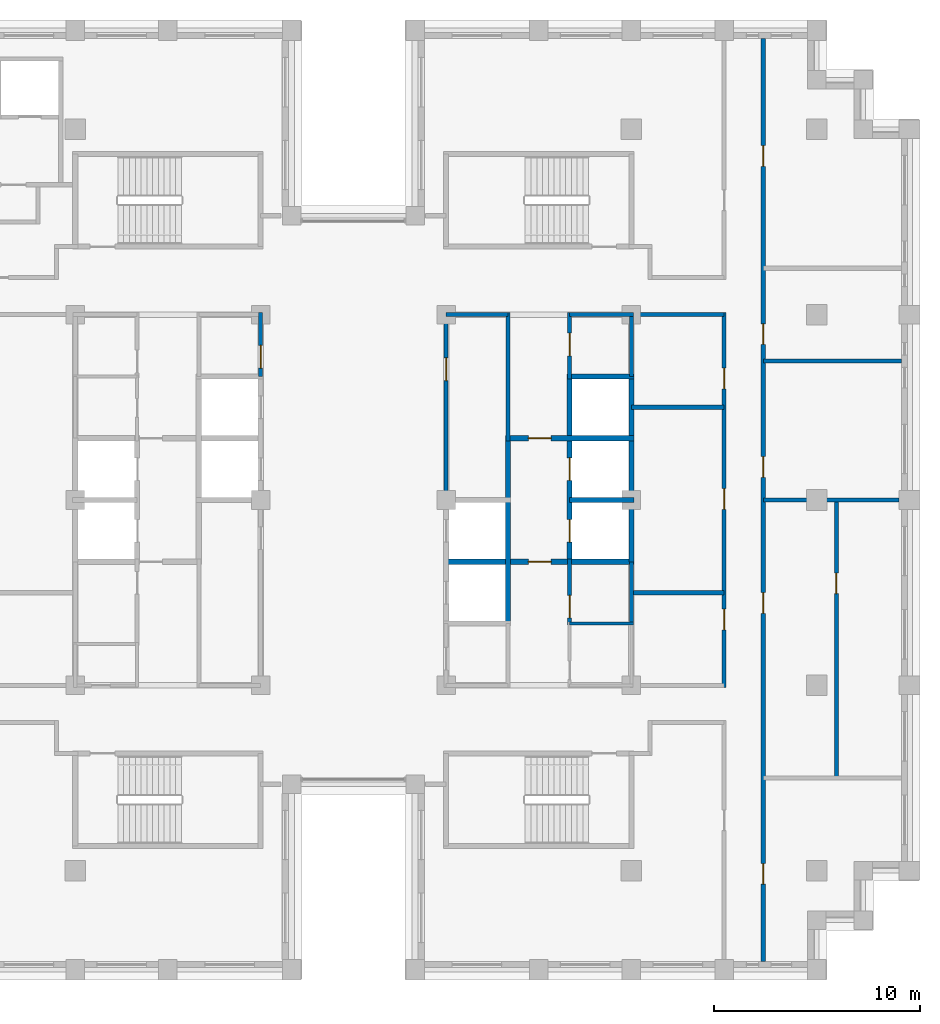
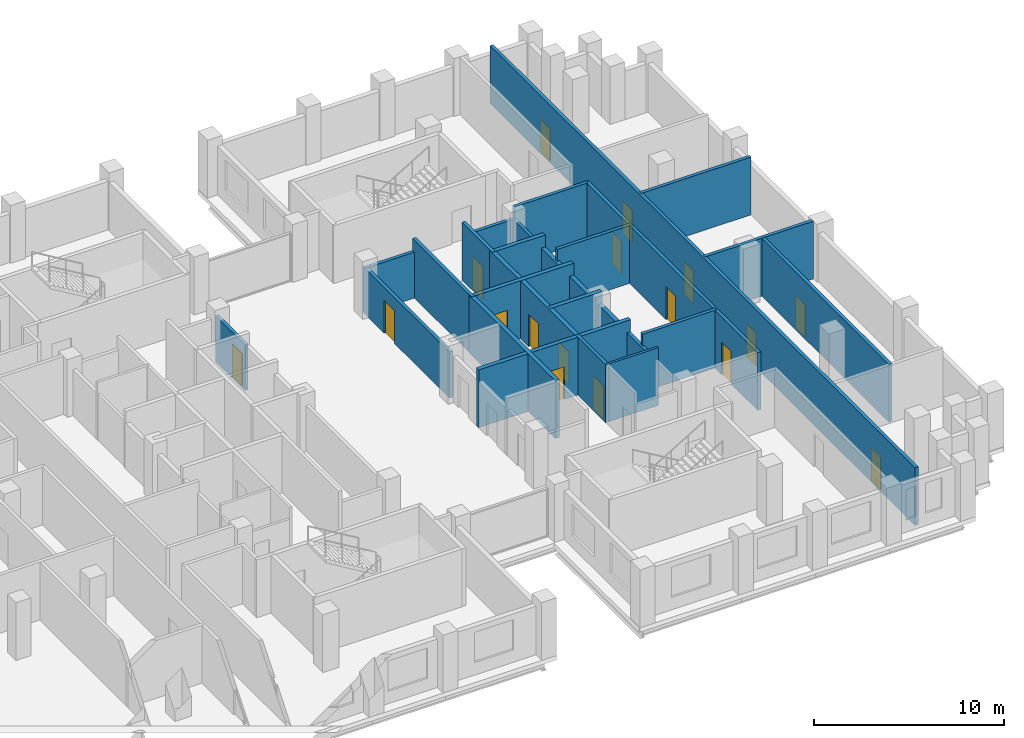
# One storey, part 9 of 15: 25 walls, 17 doors, 17 openings.
"""IFC4 building model written with IfcOpenShell, lengths in metres."""

import ifcopenshell
import ifcopenshell.guid

model = None  # the IFC model being written
_history = None  # IfcOwnerHistory: only IFC2X3 demands one
_inside = {}  # id of a spatial element -> (the spatial element, [elements in it])
_under = {}  # id of a project, library or spatial element -> (it, [spatial elements below it])
_declared = {}  # id of a project -> (the project, [libraries it declares])
_typed = {}  # id of a type object -> (the type object, [elements of that type])
_made_of = {}  # id of a material, layer set ... -> (it, [elements and type objects made of it])


def new_model(schema):
    """Start an empty IFC model of exactly this schema.

    Asked for "IFC4X3", IfcOpenShell would pick the latest addendum, in which some entities
    have other attributes; the version numbers below select the first issue.
    IFC2X3 requires an IfcOwnerHistory on every rooted entity: one is made here for all.
    """
    global model, _history
    if schema == "IFC4X3":
        model = ifcopenshell.file(schema_version=(4, 3, 0, 0))
    else:
        model = ifcopenshell.file(schema=schema)
    _inside.clear()
    _under.clear()
    _declared.clear()
    _typed.clear()
    _made_of.clear()
    _history = None
    if model.schema == "IFC2X3":
        org = make("IfcOrganization", Name="unknown")
        user = make(
            "IfcPersonAndOrganization",
            ThePerson=make("IfcPerson", FamilyName="unknown"),
            TheOrganization=org,
        )
        app = make(
            "IfcApplication",
            ApplicationDeveloper=org,
            Version="unknown",
            ApplicationFullName="unknown",
            ApplicationIdentifier="unknown",
        )
        _history = make(
            "IfcOwnerHistory",
            OwningUser=user,
            OwningApplication=app,
            ChangeAction="ADDED",
            CreationDate=0,
        )
    return model


def make(cls, **values):
    """One entity of the class cls with the attributes given. An attribute that is None is left unset."""
    return model.create_entity(
        cls, **{name: value for name, value in values.items() if value is not None}
    )


def rooted(cls, **values):
    """An entity with a GlobalId (a new one), such as an element, a storey or a relation."""
    return make(cls, GlobalId=ifcopenshell.guid.new(), OwnerHistory=_history, **values)


def si_unit(unit_type, name, prefix=None):
    """IfcSIUnit, for example si_unit("LENGTHUNIT", "METRE", prefix="MILLI")."""
    return make("IfcSIUnit", UnitType=unit_type, Prefix=prefix, Name=name)


def assignment(units):
    """IfcUnitAssignment: the units of a project."""
    return None if units is None else make("IfcUnitAssignment", Units=units)


def point(xyz):
    """IfcCartesianPoint."""
    return None if xyz is None else make("IfcCartesianPoint", Coordinates=xyz)


def direction(xyz):
    """IfcDirection."""
    return None if xyz is None else make("IfcDirection", DirectionRatios=xyz)


def frame(location, z_axis=None, x_axis=None):
    """IfcAxis2Placement3D, a coordinate frame: its origin and axes. An axis left out is left unset."""
    return make(
        "IfcAxis2Placement3D",
        Location=point(location),
        Axis=direction(z_axis),
        RefDirection=direction(x_axis),
    )


def frame_2d(location, x_axis=None):
    """IfcAxis2Placement2D, a coordinate frame in the plane: its origin and x axis."""
    return make(
        "IfcAxis2Placement2D", Location=point(location), RefDirection=direction(x_axis)
    )


def origin():
    """The frame at (0, 0, 0) with its axes left unset."""
    return frame((0.0, 0.0, 0.0))


def place(relative_to, where):
    """IfcLocalPlacement: puts the frame where relative to a parent placement (None: the world)."""
    return make(
        "IfcLocalPlacement", PlacementRelTo=relative_to, RelativePlacement=where
    )


def context(
    kind, dimensions, precision=None, world=None, true_north=None, identifier=None
):
    """IfcGeometricRepresentationContext, for example the 3D "Model" context."""
    return make(
        "IfcGeometricRepresentationContext",
        ContextIdentifier=identifier,
        ContextType=kind,
        CoordinateSpaceDimension=dimensions,
        Precision=precision,
        WorldCoordinateSystem=world,
        TrueNorth=true_north,
    )


def subcontext(parent, identifier, kind, view, scale=None):
    """IfcGeometricRepresentationSubContext, for example "Body" below "Model"."""
    return make(
        "IfcGeometricRepresentationSubContext",
        ContextIdentifier=identifier,
        ContextType=kind,
        ParentContext=parent,
        TargetScale=scale,
        TargetView=view,
    )


def project(units=None, contexts=None):
    """IfcProject with its units and contexts."""
    return rooted(
        "IfcProject",
        Name="project",
        RepresentationContexts=contexts,
        UnitsInContext=assignment(units),
    )


def spatial(cls, under=None, at=None, **own):
    """A site, building, storey or space (cls), placed at a placement, below another one or the project."""
    s = rooted(cls, ObjectPlacement=at, **own)
    if under is not None:
        _under.setdefault(under.id(), (under, []))[1].append(s)
    return s


def profile(cls, at=None, kind="AREA", **sizes):
    """A parametric profile (cls). Its sizes go by their IFC names, for example OverallWidth=200.0."""
    return make(cls, ProfileType=kind, Position=at, **sizes)


def rectangle(**sizes):
    """IfcRectangleProfileDef."""
    return profile("IfcRectangleProfileDef", **sizes)


def extrude(swept, where, along, depth):
    """IfcExtrudedAreaSolid: the profile swept, set in the frame where, extruded along a direction by depth."""
    return make(
        "IfcExtrudedAreaSolid",
        SweptArea=swept,
        Position=where,
        ExtrudedDirection=direction(along),
        Depth=depth,
    )


def shape(context_of_items, identifier, shape_type, items):
    """IfcShapeRepresentation: the items that make up one representation, for example the "Body"."""
    return make(
        "IfcShapeRepresentation",
        ContextOfItems=context_of_items,
        RepresentationIdentifier=identifier,
        RepresentationType=shape_type,
        Items=items,
    )


def material(Name=None, Category=None):
    """IfcMaterial."""
    return make("IfcMaterial", Name=Name, Category=Category)


def layer(
    of_material, thickness, ventilated=None, Name=None, Category=None, Priority=None
):
    """IfcMaterialLayer: one layer of a wall or slab, of a material (None: an air gap)."""
    return make(
        "IfcMaterialLayer",
        Material=of_material,
        LayerThickness=thickness,
        IsVentilated=ventilated,
        Name=Name,
        Category=Category,
        Priority=Priority,
    )


def layer_set(layers, Name=None):
    """IfcMaterialLayerSet."""
    return make("IfcMaterialLayerSet", MaterialLayers=layers, LayerSetName=Name)


def made_of(thing, what):
    """Note that an element or type object is made of a material, layer set ...; save() writes the relation."""
    if what is not None:
        _made_of.setdefault(what.id(), (what, []))[1].append(thing)
    return thing


def type_object(cls, material=None, **own):
    """A type object (cls), such as IfcWallType, which elements share."""
    return made_of(rooted(cls, **own), material)


def element(
    cls,
    number,
    at=None,
    inside=None,
    cuts=None,
    type_object=None,
    material=None,
    context=None,
    identifier="Body",
    shape_type=None,
    held_by="IfcProductDefinitionShape",
    body=None,
    shapes=None,
    **own,
):
    """One element of the class cls, such as IfcWall. Its Tag is "e" and its number.

    at: its placement. inside: the storey or other place that contains it. cuts: it is an
    opening in that element (IfcRelVoidsElement). A single representation is given by context,
    identifier, shape_type and body (its items); several are given by shapes. held_by: the class
    of the entity that holds the representations. save() writes the other relations.
    """
    e = rooted(cls, Tag="e%d" % number, ObjectPlacement=at, **own)
    if body is not None:
        shapes = [shape(context, identifier, shape_type, body)]
    if shapes is not None:
        e.Representation = make(held_by, Representations=shapes)
    if inside is not None:
        _inside.setdefault(inside.id(), (inside, []))[1].append(e)
    if cuts is not None:
        rooted(
            "IfcRelVoidsElement", RelatingBuildingElement=cuts, RelatedOpeningElement=e
        )
    if type_object is not None:
        _typed.setdefault(type_object.id(), (type_object, []))[1].append(e)
    return made_of(e, material)


def fill(opening, filler):
    """IfcRelFillsElement: the door or window that sits in an opening."""
    return rooted(
        "IfcRelFillsElement",
        RelatingOpeningElement=opening,
        RelatedBuildingElement=filler,
    )


def aggregate(whole, parts):
    """IfcRelAggregates: a whole, such as a stair, and the parts it consists of."""
    return rooted("IfcRelAggregates", RelatingObject=whole, RelatedObjects=parts)


def save(model, path):
    """Write the relations noted so far, then the file.

    IfcRelAggregates (storeys below a building ...), IfcRelContainedInSpatialStructure (elements
    in a storey), IfcRelDefinesByType, IfcRelAssociatesMaterial and IfcRelDeclares: one each for
    every whole, place, type object, material and project.
    """
    for whole, parts in _under.values():
        aggregate(whole, parts)
    for where, things in _inside.values():
        rooted(
            "IfcRelContainedInSpatialStructure",
            RelatedElements=things,
            RelatingStructure=where,
        )
    for kind, things in _typed.values():
        rooted("IfcRelDefinesByType", RelatedObjects=things, RelatingType=kind)
    for what, things in _made_of.values():
        rooted("IfcRelAssociatesMaterial", RelatedObjects=things, RelatingMaterial=what)
    for by, libraries in _declared.values():
        rooted("IfcRelDeclares", RelatingContext=by, RelatedDefinitions=libraries)
    model.write(path)


model = new_model("IFC4")

# Units and contexts
model_context = context("Model", 3, precision=1e-05, world=origin(), true_north=direction((0.0, 1.0)))
body_context = subcontext(model_context, "Body", "Model", "MODEL_VIEW")
ifc_project = project(units=[si_unit("LENGTHUNIT", "METRE"), si_unit("AREAUNIT", "SQUARE_METRE"), si_unit("VOLUMEUNIT", "CUBIC_METRE"), si_unit("PLANEANGLEUNIT", "RADIAN"), si_unit("MASSUNIT", "GRAM", prefix="KILO")], contexts=[model_context])

# Site, building, storey
site_placement = place(None, origin())
site = spatial("IfcSite", under=ifc_project, at=site_placement, CompositionType="ELEMENT")
building_placement = place(site_placement, origin())
building = spatial("IfcBuilding", under=site, at=building_placement, Name="Corbelhall Arena Tower", CompositionType="ELEMENT")
storey_placement = place(building_placement, frame((0.0, 0.0, 192.0)))
storey = spatial("IfcBuildingStorey", under=building, at=storey_placement, Name="L39", CompositionType="ELEMENT", Elevation=192.0)

# Walls
ifc_material_1 = material(Name="Gypsum board on steel stud, acoustic", Category="steel")
ifc_layer_1 = layer(ifc_material_1, 0.199951171875)
ifc_layer_set_1 = layer_set([ifc_layer_1], Name="IN-W-DM200")
wall_type_1 = type_object("IfcWallType", Name="IN-W-DM200", PredefinedType="PARTITIONING", material=ifc_layer_set_1)
for number, where, z_axis, x_axis, name in (
    (1, (13.5, -4.5, 0.0), (0.0, 0.0, 1.0), (1.0, 0.0, 0.0), "Partition 039"),
    (2, (13.5, 4.5, 0.0), (0.0, 0.0, 1.0), (1.0, 0.0, 0.0), "Partition 040"),
    (3, (18.0, 9.0, 0.0), (0.0, 0.0, 1.0), (-1.0, 0.0, 0.0), "Partition 043"),
):
    element("IfcWall", number, at=place(storey_placement, frame(where, z_axis=z_axis, x_axis=x_axis)), inside=storey, type_object=wall_type_1, Name=name, PredefinedType="PARTITIONING", context=body_context, shape_type="SweptSolid", body=[
        extrude(rectangle(XDim=4.5, YDim=0.199951171875, at=frame_2d((2.25, 0.0))), origin(), (0.0, 0.0, 1.0), 3.719970703125),
    ])

# Wall, openings, doors
wall_1_placement = place(storey_placement, frame((18.0, -9.10009765625, 0.0), z_axis=(0.0, 0.0, 1.0), x_axis=(0.0, 1.0, 0.0)))
wall_1 = element("IfcWall", 4, at=wall_1_placement, inside=storey, type_object=wall_type_1, Name="Partition 048", PredefinedType="PARTITIONING", context=body_context, shape_type="SweptSolid", body=[
    extrude(rectangle(XDim=18.2001953125, YDim=0.199951171875, at=frame_2d((9.10009765625, 0.0))), origin(), (0.0, 0.0, 1.0), 3.719970703125),
])
opening_1_placement = place(wall_1_placement, frame((2.800048828125, 0.0, 0.0)))
opening_1 = element("IfcOpeningElement", 5, at=opening_1_placement, cuts=wall_1, Name="Opening 11024", PredefinedType="OPENING", context=body_context, shape_type="SweptSolid", body=[
    extrude(rectangle(XDim=1.0, YDim=2.10009765625, at=frame_2d((0.5, 1.050048828125))), frame((0.0, 0.10009765625, 0.0), z_axis=(0.0, -1.0, 0.0), x_axis=(1.0, 0.0, 0.0)), (0.0, 0.0, 1.0), 0.199951171875),
])
opening_2_placement = place(wall_1_placement, frame((8.64990234375, 0.0, 0.0)))
opening_2 = element("IfcOpeningElement", 6, at=opening_2_placement, cuts=wall_1, Name="Opening 11025", PredefinedType="OPENING", context=body_context, shape_type="SweptSolid", body=[
    extrude(rectangle(XDim=1.0, YDim=2.10009765625, at=frame_2d((0.5, 1.050048828125))), frame((0.0, 0.10009765625, 0.0), z_axis=(0.0, -1.0, 0.0), x_axis=(1.0, 0.0, 0.0)), (0.0, 0.0, 1.0), 0.199951171875),
])
opening_3_placement = place(wall_1_placement, frame((14.5, 0.0, 0.0)))
opening_3 = element("IfcOpeningElement", 7, at=opening_3_placement, cuts=wall_1, Name="Opening 11026", PredefinedType="OPENING", context=body_context, shape_type="SweptSolid", body=[
    extrude(rectangle(XDim=1.0, YDim=2.10009765625, at=frame_2d((0.5, 1.050048828125))), frame((0.0, 0.10009765625, 0.0), z_axis=(0.0, -1.0, 0.0), x_axis=(1.0, 0.0, 0.0)), (0.0, 0.0, 1.0), 0.199951171875),
])
ifc_material_2 = material(Name="Steel door set", Category="steel")
door_type_1 = type_object("IfcDoorType", Name="IN-D-SW100", OperationType="NOTDEFINED", PredefinedType="DOOR", material=ifc_material_2)
door_1_placement = place(opening_1_placement, origin())
door_1 = element("IfcDoor", 8, at=door_1_placement, inside=storey, type_object=door_type_1, Name="Door 024", OperationType="SINGLE_SWING_LEFT", OverallHeight=2.10009765625, OverallWidth=1.0, PredefinedType="DOOR", context=body_context, shape_type="SweptSolid", body=[
    extrude(rectangle(XDim=1.0, YDim=2.10009765625, at=frame_2d((0.5, 1.050048828125))), frame((0.0, 0.02490234375, 0.0), z_axis=(0.0, -1.0, 0.0), x_axis=(1.0, 0.0, 0.0)), (0.0, 0.0, 1.0), 0.050048828125),
])
fill(opening_1, door_1)
door_2_placement = place(opening_2_placement, origin())
door_2 = element("IfcDoor", 9, at=door_2_placement, inside=storey, type_object=door_type_1, Name="Door 025", OperationType="SINGLE_SWING_RIGHT", OverallHeight=2.10009765625, OverallWidth=1.0, PredefinedType="DOOR", context=body_context, shape_type="SweptSolid", body=[
    extrude(rectangle(XDim=1.0, YDim=2.10009765625, at=frame_2d((0.5, 1.050048828125))), frame((0.0, 0.02490234375, 0.0), z_axis=(0.0, -1.0, 0.0), x_axis=(1.0, 0.0, 0.0)), (0.0, 0.0, 1.0), 0.050048828125),
])
fill(opening_2, door_2)
door_3_placement = place(opening_3_placement, origin())
door_3 = element("IfcDoor", 10, at=door_3_placement, inside=storey, type_object=door_type_1, Name="Door 026", OperationType="SINGLE_SWING_LEFT", OverallHeight=2.10009765625, OverallWidth=1.0, PredefinedType="DOOR", context=body_context, shape_type="SweptSolid", body=[
    extrude(rectangle(XDim=1.0, YDim=2.10009765625, at=frame_2d((0.5, 1.050048828125))), frame((0.0, 0.02490234375, 0.0), z_axis=(0.0, -1.0, 0.0), x_axis=(1.0, 0.0, 0.0)), (0.0, 0.0, 1.0), 0.050048828125),
])
fill(opening_3, door_3)

wall_2_placement = place(storey_placement, frame((19.89990234375, 22.39990234375, 0.0), z_axis=(0.0, 0.0, 1.0), x_axis=(0.0, -1.0, 0.0)))
wall_2 = element("IfcWall", 11, at=wall_2_placement, inside=storey, type_object=wall_type_1, Name="Partition 050", PredefinedType="PARTITIONING", context=body_context, shape_type="SweptSolid", body=[
    extrude(rectangle(XDim=44.7998046875, YDim=0.199951171875, at=frame_2d((22.39990234375, 0.0))), origin(), (0.0, 0.0, 1.0), 3.719970703125),
])
opening_4_placement = place(wall_2_placement, frame((20.300048828125, 0.0, 0.0)))
opening_4 = element("IfcOpeningElement", 12, at=opening_4_placement, cuts=wall_2, Name="Opening 11037", PredefinedType="OPENING", context=body_context, shape_type="SweptSolid", body=[
    extrude(rectangle(XDim=1.0, YDim=2.10009765625, at=frame_2d((0.5, 1.050048828125))), frame((0.0, 0.10009765625, 0.0), z_axis=(0.0, -1.0, 0.0), x_axis=(1.0, 0.0, 0.0)), (0.0, 0.0, 1.0), 0.199951171875),
])
opening_5_placement = place(wall_2_placement, frame((13.85009765625, 0.0, 0.0)))
opening_5 = element("IfcOpeningElement", 13, at=opening_5_placement, cuts=wall_2, Name="Opening 11038", PredefinedType="OPENING", context=body_context, shape_type="SweptSolid", body=[
    extrude(rectangle(XDim=1.0, YDim=2.10009765625, at=frame_2d((0.5, 1.050048828125))), frame((0.0, 0.10009765625, 0.0), z_axis=(0.0, -1.0, 0.0), x_axis=(1.0, 0.0, 0.0)), (0.0, 0.0, 1.0), 0.199951171875),
])
opening_6_placement = place(wall_2_placement, frame((5.199951171875, 0.0, 0.0)))
opening_6 = element("IfcOpeningElement", 14, at=opening_6_placement, cuts=wall_2, Name="Opening 11039", PredefinedType="OPENING", context=body_context, shape_type="SweptSolid", body=[
    extrude(rectangle(XDim=1.0, YDim=2.10009765625, at=frame_2d((0.5, 1.050048828125))), frame((0.0, 0.10009765625, 0.0), z_axis=(0.0, -1.0, 0.0), x_axis=(1.0, 0.0, 0.0)), (0.0, 0.0, 1.0), 0.199951171875),
])
opening_7_placement = place(wall_2_placement, frame((40.050048828125, 0.0, 0.0)))
opening_7 = element("IfcOpeningElement", 15, at=opening_7_placement, cuts=wall_2, Name="Opening 11040", PredefinedType="OPENING", context=body_context, shape_type="SweptSolid", body=[
    extrude(rectangle(XDim=1.0, YDim=2.10009765625, at=frame_2d((0.5, 1.050048828125))), frame((0.0, 0.10009765625, 0.0), z_axis=(0.0, -1.0, 0.0), x_axis=(1.0, 0.0, 0.0)), (0.0, 0.0, 1.0), 0.199951171875),
])
opening_8_placement = place(wall_2_placement, frame((26.89990234375, 0.0, 0.0)))
opening_8 = element("IfcOpeningElement", 16, at=opening_8_placement, cuts=wall_2, Name="Opening 11041", PredefinedType="OPENING", context=body_context, shape_type="SweptSolid", body=[
    extrude(rectangle(XDim=1.0, YDim=2.10009765625, at=frame_2d((0.5, 1.050048828125))), frame((0.0, 0.10009765625, 0.0), z_axis=(0.0, -1.0, 0.0), x_axis=(1.0, 0.0, 0.0)), (0.0, 0.0, 1.0), 0.199951171875),
])
door_4_placement = place(opening_4_placement, origin())
door_4 = element("IfcDoor", 17, at=door_4_placement, inside=storey, type_object=door_type_1, Name="Door 037", OperationType="SINGLE_SWING_RIGHT", OverallHeight=2.10009765625, OverallWidth=1.0, PredefinedType="DOOR", context=body_context, shape_type="SweptSolid", body=[
    extrude(rectangle(XDim=1.0, YDim=2.10009765625, at=frame_2d((0.5, 1.050048828125))), frame((0.0, 0.02490234375, 0.0), z_axis=(0.0, -1.0, 0.0), x_axis=(1.0, 0.0, 0.0)), (0.0, 0.0, 1.0), 0.050048828125),
])
fill(opening_4, door_4)
door_5_placement = place(opening_5_placement, origin())
door_5 = element("IfcDoor", 18, at=door_5_placement, inside=storey, type_object=door_type_1, Name="Door 038", OperationType="SINGLE_SWING_LEFT", OverallHeight=2.10009765625, OverallWidth=1.0, PredefinedType="DOOR", context=body_context, shape_type="SweptSolid", body=[
    extrude(rectangle(XDim=1.0, YDim=2.10009765625, at=frame_2d((0.5, 1.050048828125))), frame((0.0, 0.02490234375, 0.0), z_axis=(0.0, -1.0, 0.0), x_axis=(1.0, 0.0, 0.0)), (0.0, 0.0, 1.0), 0.050048828125),
])
fill(opening_5, door_5)
door_6_placement = place(opening_6_placement, origin())
door_6 = element("IfcDoor", 19, at=door_6_placement, inside=storey, type_object=door_type_1, Name="Door 039", OperationType="SINGLE_SWING_RIGHT", OverallHeight=2.10009765625, OverallWidth=1.0, PredefinedType="DOOR", context=body_context, shape_type="SweptSolid", body=[
    extrude(rectangle(XDim=1.0, YDim=2.10009765625, at=frame_2d((0.5, 1.050048828125))), frame((0.0, 0.02490234375, 0.0), z_axis=(0.0, -1.0, 0.0), x_axis=(1.0, 0.0, 0.0)), (0.0, 0.0, 1.0), 0.050048828125),
])
fill(opening_6, door_6)
door_7_placement = place(opening_7_placement, origin())
door_7 = element("IfcDoor", 20, at=door_7_placement, inside=storey, type_object=door_type_1, Name="Door 040", OperationType="SINGLE_SWING_LEFT", OverallHeight=2.10009765625, OverallWidth=1.0, PredefinedType="DOOR", context=body_context, shape_type="SweptSolid", body=[
    extrude(rectangle(XDim=1.0, YDim=2.10009765625, at=frame_2d((0.5, 1.050048828125))), frame((0.0, 0.02490234375, 0.0), z_axis=(0.0, -1.0, 0.0), x_axis=(1.0, 0.0, 0.0)), (0.0, 0.0, 1.0), 0.050048828125),
])
fill(opening_7, door_7)
door_8_placement = place(opening_8_placement, origin())
door_8 = element("IfcDoor", 21, at=door_8_placement, inside=storey, type_object=door_type_1, Name="Door 041", OperationType="SINGLE_SWING_RIGHT", OverallHeight=2.10009765625, OverallWidth=1.0, PredefinedType="DOOR", context=body_context, shape_type="SweptSolid", body=[
    extrude(rectangle(XDim=1.0, YDim=2.10009765625, at=frame_2d((0.5, 1.050048828125))), frame((0.0, 0.02490234375, 0.0), z_axis=(0.0, -1.0, 0.0), x_axis=(1.0, 0.0, 0.0)), (0.0, 0.0, 1.0), 0.050048828125),
])
fill(opening_8, door_8)

# Wall
wall_3_placement = place(storey_placement, frame((19.89990234375, 6.75, 0.0), z_axis=(0.0, 0.0, 1.0), x_axis=(1.0, 0.0, 0.0)))
element("IfcWall", 22, at=wall_3_placement, inside=storey, type_object=wall_type_1, Name="Partition 052", PredefinedType="PARTITIONING", context=body_context, shape_type="SweptSolid", body=[
    extrude(rectangle(XDim=6.7001953125, YDim=0.199951171875, at=frame_2d((3.35009765625, 0.0))), origin(), (0.0, 0.0, 1.0), 3.719970703125),
])

# Wall, opening, door
wall_4_placement = place(storey_placement, frame((23.449951171875, 0.0, 0.0), z_axis=(0.0, 0.0, 1.0), x_axis=(0.0, -1.0, 0.0)))
wall_4 = element("IfcWall", 23, at=wall_4_placement, inside=storey, type_object=wall_type_1, Name="Partition 054", PredefinedType="PARTITIONING", context=body_context, shape_type="SweptSolid", body=[
    extrude(rectangle(XDim=13.5, YDim=0.199951171875, at=frame_2d((6.75, 0.0))), origin(), (0.0, 0.0, 1.0), 3.719970703125),
])
opening_9_placement = place(wall_4_placement, frame((3.550048828125, 0.0, 0.0)))
opening_9 = element("IfcOpeningElement", 24, at=opening_9_placement, cuts=wall_4, Name="Opening 11042", PredefinedType="OPENING", context=body_context, shape_type="SweptSolid", body=[
    extrude(rectangle(XDim=1.0, YDim=2.10009765625, at=frame_2d((0.5, 1.050048828125))), frame((0.0, 0.10009765625, 0.0), z_axis=(0.0, -1.0, 0.0), x_axis=(1.0, 0.0, 0.0)), (0.0, 0.0, 1.0), 0.199951171875),
])
door_9_placement = place(opening_9_placement, origin())
door_9 = element("IfcDoor", 25, at=door_9_placement, inside=storey, type_object=door_type_1, Name="Door 042", OperationType="SINGLE_SWING_LEFT", OverallHeight=2.10009765625, OverallWidth=1.0, PredefinedType="DOOR", context=body_context, shape_type="SweptSolid", body=[
    extrude(rectangle(XDim=1.0, YDim=2.10009765625, at=frame_2d((0.5, 1.050048828125))), frame((0.0, 0.02490234375, 0.0), z_axis=(0.0, -1.0, 0.0), x_axis=(1.0, 0.0, 0.0)), (0.0, 0.0, 1.0), 0.050048828125),
])
fill(opening_9, door_9)

# Walls
wall_5_placement = place(storey_placement, frame((26.5, 0.0, 0.0), z_axis=(0.0, 0.0, 1.0), x_axis=(-1.0, 0.0, 0.0)))
element("IfcWall", 26, at=wall_5_placement, inside=storey, type_object=wall_type_1, Name="Partition 055", PredefinedType="PARTITIONING", context=body_context, shape_type="SweptSolid", body=[
    extrude(rectangle(XDim=6.60009765625, YDim=0.199951171875, at=frame_2d((3.300048828125, 0.0))), origin(), (0.0, 0.0, 1.0), 3.719970703125),
])
ifc_material_3 = material(Name="Concrete block wall", Category="concrete")
ifc_layer_2 = layer(ifc_material_3, 0.199951171875)
ifc_layer_set_2 = layer_set([ifc_layer_2], Name="IN-W-RS200")
wall_type_2 = type_object("IfcWallType", Name="IN-W-RS200", PredefinedType="SOLIDWALL", material=ifc_layer_set_2)
wall_6_placement = place(storey_placement, frame((7.5, 9.10009765625, 0.0), z_axis=(0.0, 0.0, 1.0), x_axis=(0.0, -1.0, 0.0)))
element("IfcWall", 27, at=wall_6_placement, inside=storey, type_object=wall_type_2, Name="Partition 072", PredefinedType="SOLIDWALL", context=body_context, shape_type="SweptSolid", body=[
    extrude(rectangle(XDim=6.22509765625, YDim=0.199951171875, at=frame_2d((3.112548828125, 0.0))), origin(), (0.0, 0.0, 1.0), 3.719970703125),
])

# Wall, opening, door
wall_7_placement = place(storey_placement, frame((10.5, -2.875, 0.0), z_axis=(0.0, 0.0, 1.0), x_axis=(0.0, -1.0, 0.0)))
wall_7 = element("IfcWall", 28, at=wall_7_placement, inside=storey, type_object=wall_type_2, Name="Partition 073", PredefinedType="SOLIDWALL", context=body_context, shape_type="SweptSolid", body=[
    extrude(rectangle(XDim=3.199951171875, YDim=0.199951171875, at=frame_2d((1.60009765625, 0.0))), origin(), (0.0, 0.0, 1.0), 3.719970703125),
])
opening_10_placement = place(wall_7_placement, frame((1.75, 0.0, 0.0)))
opening_10 = element("IfcOpeningElement", 29, at=opening_10_placement, cuts=wall_7, Name="Opening 11014", PredefinedType="OPENING", context=body_context, shape_type="SweptSolid", body=[
    extrude(rectangle(XDim=1.10009765625, YDim=2.10009765625, at=frame_2d((0.550048828125, 1.050048828125))), frame((0.0, 0.10009765625, 0.0), z_axis=(0.0, -1.0, 0.0), x_axis=(1.0, 0.0, 0.0)), (0.0, 0.0, 1.0), 0.199951171875),
])
door_type_2 = type_object("IfcDoorType", Name="IN-D-FD110", OperationType="NOTDEFINED", PredefinedType="DOOR", material=ifc_material_2)
door_10_placement = place(opening_10_placement, origin())
door_10 = element("IfcDoor", 30, at=door_10_placement, inside=storey, type_object=door_type_2, Name="Door 014", OperationType="SINGLE_SWING_LEFT", OverallHeight=2.10009765625, OverallWidth=1.10009765625, PredefinedType="DOOR", context=body_context, shape_type="SweptSolid", body=[
    extrude(rectangle(XDim=1.10009765625, YDim=2.10009765625, at=frame_2d((0.550048828125, 1.050048828125))), frame((0.0, 0.02490234375, 0.0), z_axis=(0.0, -1.0, 0.0), x_axis=(1.0, 0.0, 0.0)), (0.0, 0.0, 1.0), 0.050048828125),
])
fill(opening_10, door_10)

wall_8_placement = place(storey_placement, frame((10.5, 9.10009765625, 0.0), z_axis=(0.0, 0.0, 1.0), x_axis=(0.0, -1.0, 0.0)))
wall_8 = element("IfcWall", 31, at=wall_8_placement, inside=storey, type_object=wall_type_2, Name="Partition 075", PredefinedType="SOLIDWALL", context=body_context, shape_type="SweptSolid", body=[
    extrude(rectangle(XDim=3.22509765625, YDim=0.199951171875, at=frame_2d((1.612548828125, 0.0))), origin(), (0.0, 0.0, 1.0), 3.719970703125),
])
opening_11_placement = place(wall_8_placement, frame((1.0, 0.0, 0.0)))
opening_11 = element("IfcOpeningElement", 32, at=opening_11_placement, cuts=wall_8, Name="Opening 11015", PredefinedType="OPENING", context=body_context, shape_type="SweptSolid", body=[
    extrude(rectangle(XDim=1.10009765625, YDim=2.10009765625, at=frame_2d((0.550048828125, 1.050048828125))), frame((0.0, 0.10009765625, 0.0), z_axis=(0.0, -1.0, 0.0), x_axis=(1.0, 0.0, 0.0)), (0.0, 0.0, 1.0), 0.199951171875),
])
door_11_placement = place(opening_11_placement, origin())
door_11 = element("IfcDoor", 33, at=door_11_placement, inside=storey, type_object=door_type_2, Name="Door 015", OperationType="SINGLE_SWING_RIGHT", OverallHeight=2.10009765625, OverallWidth=1.10009765625, PredefinedType="DOOR", context=body_context, shape_type="SweptSolid", body=[
    extrude(rectangle(XDim=1.10009765625, YDim=2.10009765625, at=frame_2d((0.550048828125, 1.050048828125))), frame((0.0, 0.02490234375, 0.0), z_axis=(0.0, -1.0, 0.0), x_axis=(1.0, 0.0, 0.0)), (0.0, 0.0, 1.0), 0.050048828125),
])
fill(opening_11, door_11)

ifc_layer_3 = layer(ifc_material_3, 0.199951171875)
ifc_layer_set_3 = layer_set([ifc_layer_3], Name="IN-W-RS200 under beam 762 mm")
wall_type_3 = type_object("IfcWallType", Name="IN-W-RS200 under beam 762 mm", PredefinedType="SOLIDWALL", material=ifc_layer_set_3)
wall_9_placement = place(storey_placement, frame((-4.5, 9.10009765625, 0.0), z_axis=(0.0, 0.0, 1.0), x_axis=(0.0, -1.0, 0.0)))
wall_9 = element("IfcWall", 34, at=wall_9_placement, inside=storey, type_object=wall_type_3, Name="Partition 066", PredefinedType="SOLIDWALL", context=body_context, shape_type="SweptSolid", body=[
    extrude(rectangle(XDim=3.10009765625, YDim=0.199951171875, at=frame_2d((1.550048828125, 0.0))), origin(), (0.0, 0.0, 1.0), 2.9580078125),
])
opening_12_placement = place(wall_9_placement, frame((1.60009765625, 0.0, 0.0)))
opening_12 = element("IfcOpeningElement", 35, at=opening_12_placement, cuts=wall_9, Name="Opening 11002", PredefinedType="OPENING", context=body_context, shape_type="SweptSolid", body=[
    extrude(rectangle(XDim=1.10009765625, YDim=2.10009765625, at=frame_2d((0.550048828125, 1.050048828125))), frame((0.0, 0.10009765625, 0.0), z_axis=(0.0, -1.0, 0.0), x_axis=(1.0, 0.0, 0.0)), (0.0, 0.0, 1.0), 0.199951171875),
])
door_12_placement = place(opening_12_placement, origin())
door_12 = element("IfcDoor", 36, at=door_12_placement, inside=storey, type_object=door_type_2, Name="Door 002", OperationType="SINGLE_SWING_LEFT", OverallHeight=2.10009765625, OverallWidth=1.10009765625, PredefinedType="DOOR", context=body_context, shape_type="SweptSolid", body=[
    extrude(rectangle(XDim=1.10009765625, YDim=2.10009765625, at=frame_2d((0.550048828125, 1.050048828125))), frame((0.0, 0.02490234375, 0.0), z_axis=(0.0, -1.0, 0.0), x_axis=(1.0, 0.0, 0.0)), (0.0, 0.0, 1.0), 0.050048828125),
])
fill(opening_12, door_12)

wall_10_placement = place(storey_placement, frame((4.5, 0.0, 0.0), z_axis=(0.0, 0.0, 1.0), x_axis=(0.0, 1.0, 0.0)))
wall_10 = element("IfcWall", 37, at=wall_10_placement, inside=storey, type_object=wall_type_3, Name="Partition 068", PredefinedType="SOLIDWALL", context=body_context, shape_type="SweptSolid", body=[
    extrude(rectangle(XDim=9.10009765625, YDim=0.199951171875, at=frame_2d((4.550048828125, 0.0))), origin(), (0.0, 0.0, 1.0), 2.9580078125),
])
opening_13_placement = place(wall_10_placement, frame((5.800048828125, 0.0, 0.0)))
opening_13 = element("IfcOpeningElement", 38, at=opening_13_placement, cuts=wall_10, Name="Opening 11010", PredefinedType="OPENING", context=body_context, shape_type="SweptSolid", body=[
    extrude(rectangle(XDim=1.10009765625, YDim=2.10009765625, at=frame_2d((0.550048828125, 1.050048828125))), frame((0.0, 0.10009765625, 0.0), z_axis=(0.0, -1.0, 0.0), x_axis=(1.0, 0.0, 0.0)), (0.0, 0.0, 1.0), 0.199951171875),
])
door_13_placement = place(opening_13_placement, origin())
door_13 = element("IfcDoor", 39, at=door_13_placement, inside=storey, type_object=door_type_2, Name="Door 010", OperationType="SINGLE_SWING_LEFT", OverallHeight=2.10009765625, OverallWidth=1.10009765625, PredefinedType="DOOR", context=body_context, shape_type="SweptSolid", body=[
    extrude(rectangle(XDim=1.10009765625, YDim=2.10009765625, at=frame_2d((0.550048828125, 1.050048828125))), frame((0.0, 0.02490234375, 0.0), z_axis=(0.0, -1.0, 0.0), x_axis=(1.0, 0.0, 0.0)), (0.0, 0.0, 1.0), 0.050048828125),
])
fill(opening_13, door_13)

# Walls
wall_11_placement = place(storey_placement, frame((4.5, 9.0, 0.0), z_axis=(0.0, 0.0, 1.0), x_axis=(1.0, 0.0, 0.0)))
element("IfcWall", 40, at=wall_11_placement, inside=storey, type_object=wall_type_3, Name="Partition 069", PredefinedType="SOLIDWALL", context=body_context, shape_type="SweptSolid", body=[
    extrude(rectangle(XDim=3.0, YDim=0.199951171875, at=frame_2d((1.5, 0.0))), origin(), (0.0, 0.0, 1.0), 2.9580078125),
])
wall_12_placement = place(storey_placement, frame((10.5, 9.0, 0.0), z_axis=(0.0, 0.0, 1.0), x_axis=(1.0, 0.0, 0.0)))
element("IfcWall", 41, at=wall_12_placement, inside=storey, type_object=wall_type_3, Name="Partition 074", PredefinedType="SOLIDWALL", context=body_context, shape_type="SweptSolid", body=[
    extrude(rectangle(XDim=3.10009765625, YDim=0.199951171875, at=frame_2d((1.550048828125, 0.0))), origin(), (0.0, 0.0, 1.0), 2.9580078125),
])
wall_13_placement = place(storey_placement, frame((13.5, -3.0, 0.0), z_axis=(0.0, 0.0, 1.0), x_axis=(0.0, -1.0, 0.0)))
element("IfcWall", 42, at=wall_13_placement, inside=storey, type_object=wall_type_3, Name="Partition 076", PredefinedType="SOLIDWALL", context=body_context, shape_type="SweptSolid", body=[
    extrude(rectangle(XDim=3.0, YDim=0.199951171875, at=frame_2d((1.5, 0.0))), origin(), (0.0, 0.0, 1.0), 2.9580078125),
])
wall_14_placement = place(storey_placement, frame((13.5, 9.10009765625, 0.0), z_axis=(0.0, 0.0, 1.0), x_axis=(0.0, -1.0, 0.0)))
element("IfcWall", 43, at=wall_14_placement, inside=storey, type_object=wall_type_3, Name="Partition 077", PredefinedType="SOLIDWALL", context=body_context, shape_type="SweptSolid", body=[
    extrude(rectangle(XDim=3.10009765625, YDim=0.199951171875, at=frame_2d((1.550048828125, 0.0))), origin(), (0.0, 0.0, 1.0), 2.9580078125),
])

# Wall, opening, door
ifc_material_4 = material(Name="Concrete C40/50", Category="concrete")
ifc_layer_4 = layer(ifc_material_4, 0.25)
ifc_layer_set_4 = layer_set([ifc_layer_4], Name="IN-W-SH250")
wall_type_4 = type_object("IfcWallType", Name="IN-W-SH250", PredefinedType="SOLIDWALL", material=ifc_layer_set_4)
wall_15_placement = place(storey_placement, frame((4.375, -3.0, 0.0), z_axis=(0.0, 0.0, 1.0), x_axis=(1.0, 0.0, 0.0)))
wall_15 = element("IfcWall", 44, at=wall_15_placement, inside=storey, type_object=wall_type_4, Name="Shaft wall 088", PredefinedType="SOLIDWALL", context=body_context, shape_type="SweptSolid", body=[
    extrude(rectangle(XDim=9.25, YDim=0.25, at=frame_2d((4.625, 0.0))), origin(), (0.0, 0.0, 1.0), 3.719970703125),
])
opening_14_placement = place(wall_15_placement, frame((4.125, 0.0, 0.0)))
opening_14 = element("IfcOpeningElement", 45, at=opening_14_placement, cuts=wall_15, Name="Opening 11011", PredefinedType="OPENING", context=body_context, shape_type="SweptSolid", body=[
    extrude(rectangle(XDim=1.10009765625, YDim=2.10009765625, at=frame_2d((0.550048828125, 1.050048828125))), frame((0.0, 0.125, 0.0), z_axis=(0.0, -1.0, 0.0), x_axis=(1.0, 0.0, 0.0)), (0.0, 0.0, 1.0), 0.25),
])
door_14_placement = place(opening_14_placement, origin())
door_14 = element("IfcDoor", 46, at=door_14_placement, inside=storey, type_object=door_type_2, Name="Door 011", OperationType="SINGLE_SWING_RIGHT", OverallHeight=2.10009765625, OverallWidth=1.10009765625, PredefinedType="DOOR", context=body_context, shape_type="SweptSolid", body=[
    extrude(rectangle(XDim=1.10009765625, YDim=2.10009765625, at=frame_2d((0.550048828125, 1.050048828125))), frame((0.0, 0.02490234375, 0.0), z_axis=(0.0, -1.0, 0.0), x_axis=(1.0, 0.0, 0.0)), (0.0, 0.0, 1.0), 0.050048828125),
])
fill(opening_14, door_14)

# Wall
wall_16_placement = place(storey_placement, frame((7.5, 3.125, 0.0), z_axis=(0.0, 0.0, 1.0), x_axis=(0.0, -1.0, 0.0)))
element("IfcWall", 47, at=wall_16_placement, inside=storey, type_object=wall_type_4, Name="Shaft wall 091", PredefinedType="SOLIDWALL", context=body_context, shape_type="SweptSolid", body=[
    extrude(rectangle(XDim=9.125, YDim=0.25, at=frame_2d((4.5625, 0.0))), origin(), (0.0, 0.0, 1.0), 3.719970703125),
])

# Wall, opening, door
wall_17_placement = place(storey_placement, frame((7.5, 3.0, 0.0), z_axis=(0.0, 0.0, 1.0), x_axis=(1.0, 0.0, 0.0)))
wall_17 = element("IfcWall", 48, at=wall_17_placement, inside=storey, type_object=wall_type_4, Name="Shaft wall 092", PredefinedType="SOLIDWALL", context=body_context, shape_type="SweptSolid", body=[
    extrude(rectangle(XDim=6.125, YDim=0.25, at=frame_2d((3.0625, 0.0))), origin(), (0.0, 0.0, 1.0), 3.719970703125),
])
opening_15_placement = place(wall_17_placement, frame((1.0, 0.0, 0.0)))
opening_15 = element("IfcOpeningElement", 49, at=opening_15_placement, cuts=wall_17, Name="Opening 11012", PredefinedType="OPENING", context=body_context, shape_type="SweptSolid", body=[
    extrude(rectangle(XDim=1.10009765625, YDim=2.10009765625, at=frame_2d((0.550048828125, 1.050048828125))), frame((0.0, 0.125, 0.0), z_axis=(0.0, -1.0, 0.0), x_axis=(1.0, 0.0, 0.0)), (0.0, 0.0, 1.0), 0.25),
])
door_15_placement = place(opening_15_placement, origin())
door_15 = element("IfcDoor", 50, at=door_15_placement, inside=storey, type_object=door_type_2, Name="Door 012", OperationType="SINGLE_SWING_LEFT", OverallHeight=2.10009765625, OverallWidth=1.10009765625, PredefinedType="DOOR", context=body_context, shape_type="SweptSolid", body=[
    extrude(rectangle(XDim=1.10009765625, YDim=2.10009765625, at=frame_2d((0.550048828125, 1.050048828125))), frame((0.0, 0.02490234375, 0.0), z_axis=(0.0, -1.0, 0.0), x_axis=(1.0, 0.0, 0.0)), (0.0, 0.0, 1.0), 0.050048828125),
])
fill(opening_15, door_15)

# Wall
wall_18_placement = place(storey_placement, frame((10.5, 0.0, 0.0), z_axis=(0.0, 0.0, 1.0), x_axis=(1.0, 0.0, 0.0)))
element("IfcWall", 51, at=wall_18_placement, inside=storey, type_object=wall_type_4, Name="Shaft wall 093", PredefinedType="SOLIDWALL", context=body_context, shape_type="SweptSolid", body=[
    extrude(rectangle(XDim=3.125, YDim=0.25, at=frame_2d((1.5625, 0.0))), origin(), (0.0, 0.0, 1.0), 3.719970703125),
])

# Wall, openings, doors
wall_19_placement = place(storey_placement, frame((10.5, 6.125, 0.0), z_axis=(0.0, 0.0, 1.0), x_axis=(0.0, -1.0, 0.0)))
wall_19 = element("IfcWall", 52, at=wall_19_placement, inside=storey, type_object=wall_type_4, Name="Shaft wall 094", PredefinedType="SOLIDWALL", context=body_context, shape_type="SweptSolid", body=[
    extrude(rectangle(XDim=9.25, YDim=0.25, at=frame_2d((4.625, 0.0))), origin(), (0.0, 0.0, 1.0), 3.719970703125),
])
opening_16_placement = place(wall_19_placement, frame((7.074951171875, 0.0, 0.0)))
opening_16 = element("IfcOpeningElement", 53, at=opening_16_placement, cuts=wall_19, Name="Opening LD", PredefinedType="OPENING", context=body_context, shape_type="SweptSolid", body=[
    extrude(rectangle(XDim=1.10009765625, YDim=2.10009765625, at=frame_2d((0.550048828125, 1.050048828125))), frame((0.0, 0.125, 0.0), z_axis=(0.0, -1.0, 0.0), x_axis=(1.0, 0.0, 0.0)), (0.0, 0.0, 1.0), 0.25),
])
opening_17_placement = place(wall_19_placement, frame((4.074951171875, 0.0, 0.0)))
opening_17 = element("IfcOpeningElement", 54, at=opening_17_placement, cuts=wall_19, Name="Opening LD", PredefinedType="OPENING", context=body_context, shape_type="SweptSolid", body=[
    extrude(rectangle(XDim=1.10009765625, YDim=2.10009765625, at=frame_2d((0.550048828125, 1.050048828125))), frame((0.0, 0.125, 0.0), z_axis=(0.0, -1.0, 0.0), x_axis=(1.0, 0.0, 0.0)), (0.0, 0.0, 1.0), 0.25),
])
door_type_3 = type_object("IfcDoorType", Name="IN-D-LD110", OperationType="NOTDEFINED", PredefinedType="DOOR", material=ifc_material_2)
door_16_placement = place(opening_16_placement, origin())
door_16 = element("IfcDoor", 55, at=door_16_placement, inside=storey, type_object=door_type_3, Name="Landing door E3", OperationType="SLIDING_TO_LEFT", OverallHeight=2.10009765625, OverallWidth=1.10009765625, PredefinedType="DOOR", context=body_context, shape_type="SweptSolid", body=[
    extrude(rectangle(XDim=1.10009765625, YDim=2.10009765625, at=frame_2d((0.550048828125, 1.050048828125))), frame((0.0, 0.02490234375, 0.0), z_axis=(0.0, -1.0, 0.0), x_axis=(1.0, 0.0, 0.0)), (0.0, 0.0, 1.0), 0.050048828125),
])
fill(opening_16, door_16)
door_17_placement = place(opening_17_placement, origin())
door_17 = element("IfcDoor", 56, at=door_17_placement, inside=storey, type_object=door_type_3, Name="Landing door E4", OperationType="SLIDING_TO_LEFT", OverallHeight=2.10009765625, OverallWidth=1.10009765625, PredefinedType="DOOR", context=body_context, shape_type="SweptSolid", body=[
    extrude(rectangle(XDim=1.10009765625, YDim=2.10009765625, at=frame_2d((0.550048828125, 1.050048828125))), frame((0.0, 0.02490234375, 0.0), z_axis=(0.0, -1.0, 0.0), x_axis=(1.0, 0.0, 0.0)), (0.0, 0.0, 1.0), 0.050048828125),
])
fill(opening_17, door_17)

# Walls
wall_20_placement = place(storey_placement, frame((10.5, 6.0, 0.0), z_axis=(0.0, 0.0, 1.0), x_axis=(1.0, 0.0, 0.0)))
element("IfcWall", 57, at=wall_20_placement, inside=storey, type_object=wall_type_4, Name="Shaft wall 095", PredefinedType="SOLIDWALL", context=body_context, shape_type="SweptSolid", body=[
    extrude(rectangle(XDim=3.125, YDim=0.25, at=frame_2d((1.5625, 0.0))), origin(), (0.0, 0.0, 1.0), 3.719970703125),
])
ifc_layer_5 = layer(ifc_material_4, 0.25)
ifc_layer_set_5 = layer_set([ifc_layer_5], Name="IN-W-SH250 under beam 762 mm")
wall_type_5 = type_object("IfcWallType", Name="IN-W-SH250 under beam 762 mm", PredefinedType="SOLIDWALL", material=ifc_layer_set_5)
wall_21_placement = place(storey_placement, frame((13.5, 6.0, 0.0), z_axis=(0.0, 0.0, 1.0), x_axis=(0.0, -1.0, 0.0)))
element("IfcWall", 58, at=wall_21_placement, inside=storey, type_object=wall_type_5, Name="Shaft wall 096", PredefinedType="SOLIDWALL", context=body_context, shape_type="SweptSolid", body=[
    extrude(rectangle(XDim=9.0, YDim=0.25, at=frame_2d((4.5, 0.0))), origin(), (0.0, 0.0, 1.0), 2.9580078125),
])
ifc_material_5 = material(Name="Gypsum board on steel stud, moisture resistant", Category="steel")
ifc_layer_6 = layer(ifc_material_5, 0.14990234375)
ifc_layer_set_6 = layer_set([ifc_layer_6], Name="IN-W-WC150")
wall_type_6 = type_object("IfcWallType", Name="IN-W-WC150", PredefinedType="PARTITIONING", material=ifc_layer_set_6)
wall_22_placement = place(storey_placement, frame((10.5, -6.0, 0.0), z_axis=(0.0, 0.0, 1.0), x_axis=(1.0, 0.0, 0.0)))
element("IfcWall", 59, at=wall_22_placement, inside=storey, type_object=wall_type_6, Name="Partition 126", PredefinedType="PARTITIONING", context=body_context, shape_type="SweptSolid", body=[
    extrude(rectangle(XDim=3.10009765625, YDim=0.14990234375, at=frame_2d((1.550048828125, 0.0))), origin(), (0.0, 0.0, 1.0), 3.719970703125),
])

save(model, "model.ifc")
